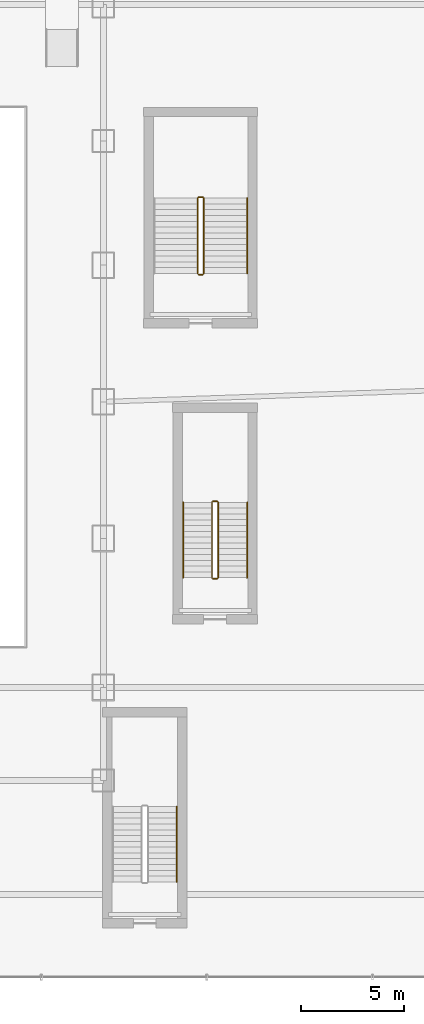
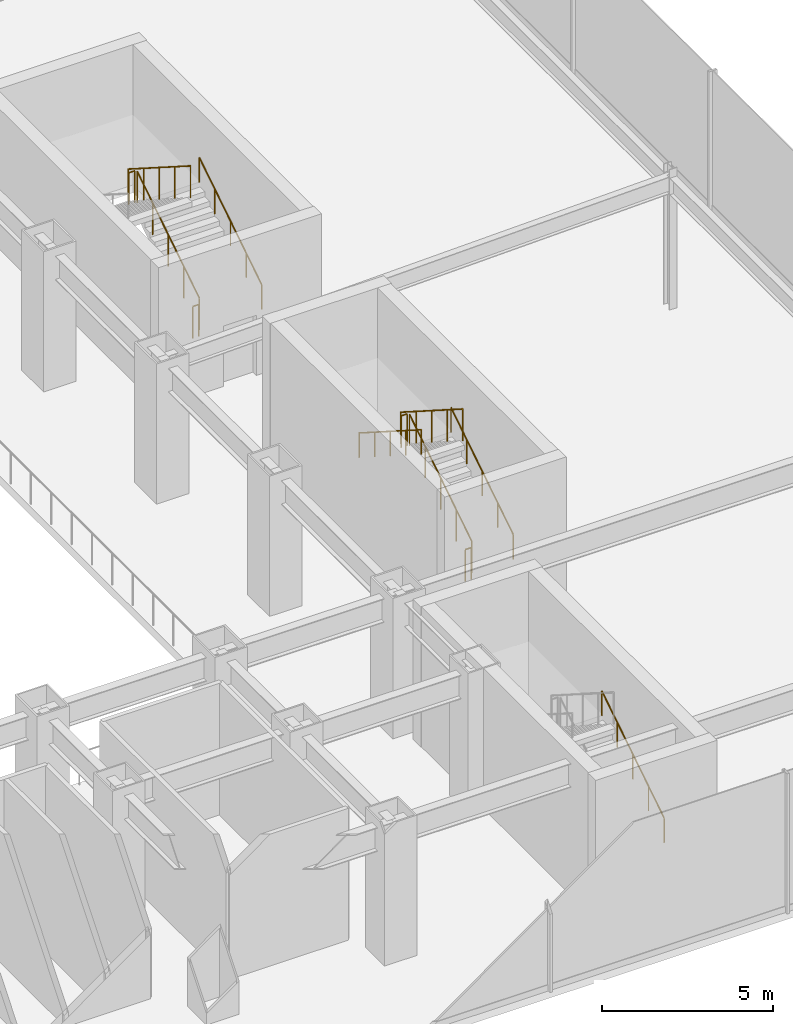
# One storey, part 38 of 39: 12 railings.
"""IFC4 building model written with IfcOpenShell, lengths in metres."""

from ifc_helpers import new_model, si_unit, derived_unit, direction, frame, origin, origin_2d, place, context, subcontext, project, spatial, circle, extrude, material, type_object, element, save


model = new_model("IFC4")

# Units and contexts
model_context = context("Model", 3, precision=1e-05, world=origin(), true_north=direction((0.0, 1.0)))
body_context = subcontext(model_context, "Body", "Model", "MODEL_VIEW")
ifc_project = project(units=[si_unit("LENGTHUNIT", "METRE"), si_unit("AREAUNIT", "SQUARE_METRE"), si_unit("VOLUMEUNIT", "CUBIC_METRE"), si_unit("PLANEANGLEUNIT", "RADIAN"), si_unit("MASSUNIT", "GRAM", prefix="KILO"), derived_unit("THERMALTRANSMITTANCEUNIT", [(si_unit("POWERUNIT", "WATT"), 1), (si_unit("LENGTHUNIT", "METRE"), -2), (si_unit("THERMODYNAMICTEMPERATUREUNIT", "KELVIN"), -1)])], contexts=[model_context])

# Site, building, storey
site_placement = place(None, origin())
site = spatial("IfcSite", under=ifc_project, at=site_placement, CompositionType="ELEMENT")
building_placement = place(site_placement, origin())
building = spatial("IfcBuilding", under=site, at=building_placement, Name="Skarnbrae Concourse Arena and Tower", CompositionType="ELEMENT")
storey_placement = place(building_placement, frame((0.0, 0.0, 16.0)))
storey = spatial("IfcBuildingStorey", under=building, at=storey_placement, Name="L03", CompositionType="ELEMENT", Elevation=16.0)

# Railings
ifc_material = material(Name="Steel CSA G40.21 350W", Category="steel")
railing_type_1 = type_object("IfcRailingType", Name="RAIL-HANDRAIL-900", PredefinedType="HANDRAIL", material=ifc_material)
for number, where, name in (
    (1, (64.550048828125, 4.60009765625, 0.178466796875), "L03 ST-A1 stair handrail 1"),
    (2, (67.949951171875, 19.300048828125, 0.178466796875), "L03 ST-A2 stair handrail 1"),
):
    element("IfcRailing", number, at=place(storey_placement, frame(where)), inside=storey, type_object=railing_type_1, Name=name, PredefinedType="HANDRAIL", context=body_context, shape_type="SweptSolid", body=[
        extrude(circle(Radius=0.02392578125, at=origin_2d()), frame((0.0, 0.0, 0.8759765625), z_axis=(0.0, 0.843111507901, 0.53773877045), x_axis=(-1.0, 0.0, 0.0)), (0.0, 0.0, 1.0), 4.317138671875),
        extrude(circle(Radius=0.02099609375, at=origin_2d()), origin(), (0.0, 0.0, 1.0), 0.851806640625),
        extrude(circle(Radius=0.02099609375, at=origin_2d()), frame((0.0, 0.909912109375, 0.580322265625)), (0.0, 0.0, 1.0), 0.851806640625),
        extrude(circle(Radius=0.02099609375, at=origin_2d()), frame((0.0, 1.81982421875, 1.16064453125)), (0.0, 0.0, 1.0), 0.851806640625),
        extrude(circle(Radius=0.02099609375, at=origin_2d()), frame((0.0, 2.72998046875, 1.7412109375)), (0.0, 0.0, 1.0), 0.851806640625),
        extrude(circle(Radius=0.02099609375, at=origin_2d()), frame((0.0, 3.639892578125, 2.321533203125)), (0.0, 0.0, 1.0), 0.851806640625),
    ])
railing_1_placement = place(storey_placement, frame((64.85009765625, 22.93994140625, 2.678466796875)))
element("IfcRailing", 3, at=railing_1_placement, inside=storey, type_object=railing_type_1, Name="L03 ST-A2 stair handrail 2", PredefinedType="HANDRAIL", context=body_context, shape_type="SweptSolid", body=[
    extrude(circle(Radius=0.02392578125, at=origin_2d()), frame((0.0, 0.0, 0.8759765625), z_axis=(0.0, -0.843111507901, 0.53773877045), x_axis=(1.0, 0.0, 0.0)), (0.0, 0.0, 1.0), 4.317138671875),
    extrude(circle(Radius=0.02099609375, at=origin_2d()), origin(), (0.0, 0.0, 1.0), 0.851806640625),
    extrude(circle(Radius=0.02099609375, at=origin_2d()), frame((0.0, -0.909912109375, 0.580322265625)), (0.0, 0.0, 1.0), 0.851806640625),
    extrude(circle(Radius=0.02099609375, at=origin_2d()), frame((0.0, -1.81982421875, 1.16064453125)), (0.0, 0.0, 1.0), 0.851806640625),
    extrude(circle(Radius=0.02099609375, at=origin_2d()), frame((0.0, -2.72998046875, 1.7412109375)), (0.0, 0.0, 1.0), 0.851806640625),
    extrude(circle(Radius=0.02099609375, at=origin_2d()), frame((0.0, -3.639892578125, 2.321533203125)), (0.0, 0.0, 1.0), 0.851806640625),
])
railing_2_placement = place(storey_placement, frame((67.949951171875, 34.0, 0.178466796875)))
element("IfcRailing", 4, at=railing_2_placement, inside=storey, type_object=railing_type_1, Name="L03 ST-A4 stair handrail 1", PredefinedType="HANDRAIL", context=body_context, shape_type="SweptSolid", body=[
    extrude(circle(Radius=0.02392578125, at=origin_2d()), frame((0.0, 0.0, 0.8759765625), z_axis=(0.0, 0.843111507901, 0.53773877045), x_axis=(-1.0, 0.0, 0.0)), (0.0, 0.0, 1.0), 4.317138671875),
    extrude(circle(Radius=0.02099609375, at=origin_2d()), origin(), (0.0, 0.0, 1.0), 0.851806640625),
    extrude(circle(Radius=0.02099609375, at=origin_2d()), frame((0.0, 0.909912109375, 0.580322265625)), (0.0, 0.0, 1.0), 0.851806640625),
    extrude(circle(Radius=0.02099609375, at=origin_2d()), frame((0.0, 1.81982421875, 1.16064453125)), (0.0, 0.0, 1.0), 0.851806640625),
    extrude(circle(Radius=0.02099609375, at=origin_2d()), frame((0.0, 2.72998046875, 1.7412109375)), (0.0, 0.0, 1.0), 0.851806640625),
    extrude(circle(Radius=0.02099609375, at=origin_2d()), frame((0.0, 3.639892578125, 2.321533203125)), (0.0, 0.0, 1.0), 0.851806640625),
])
railing_type_2 = type_object("IfcRailingType", Name="RAIL-STAIR-GUARD-1150", PredefinedType="GUARDRAIL", material=ifc_material)
railing_3_placement = place(storey_placement, frame((66.550048828125, 19.300048828125, 0.178466796875)))
element("IfcRailing", 5, at=railing_3_placement, inside=storey, type_object=railing_type_2, Name="L03 ST-A2 stair guard 1", PredefinedType="GUARDRAIL", context=body_context, shape_type="SweptSolid", body=[
    extrude(circle(Radius=0.02392578125, at=origin_2d()), frame((0.0, 0.0, 1.1259765625), z_axis=(0.0, 0.843111507901, 0.53773877045), x_axis=(-1.0, 0.0, 0.0)), (0.0, 0.0, 1.0), 4.317138671875),
    extrude(circle(Radius=0.02099609375, at=origin_2d()), origin(), (0.0, 0.0, 1.0), 1.101806640625),
    extrude(circle(Radius=0.02099609375, at=origin_2d()), frame((0.0, 0.909912109375, 0.580322265625)), (0.0, 0.0, 1.0), 1.101806640625),
    extrude(circle(Radius=0.02099609375, at=origin_2d()), frame((0.0, 1.81982421875, 1.16064453125)), (0.0, 0.0, 1.0), 1.101806640625),
    extrude(circle(Radius=0.02099609375, at=origin_2d()), frame((0.0, 2.72998046875, 1.7412109375)), (0.0, 0.0, 1.0), 1.101806640625),
    extrude(circle(Radius=0.02099609375, at=origin_2d()), frame((0.0, 3.639892578125, 2.321533203125)), (0.0, 0.0, 1.0), 1.101806640625),
])
railing_4_placement = place(storey_placement, frame((66.5, 22.989990234375, 2.5)))
element("IfcRailing", 6, at=railing_4_placement, inside=storey, type_object=railing_type_2, Name="L03 ST-A2 stair guard 2", PredefinedType="GUARDRAIL", context=body_context, shape_type="SweptSolid", body=[
    extrude(circle(Radius=0.02392578125, at=origin_2d()), frame((0.0, 0.0, 1.1259765625), z_axis=(-1.0, 0.0, 0.0), x_axis=(0.0, -1.0, 0.0)), (0.0, 0.0, 1.0), 0.199951171875),
    extrude(circle(Radius=0.02099609375, at=origin_2d()), origin(), (0.0, 0.0, 1.0), 1.101806640625),
    extrude(circle(Radius=0.02099609375, at=origin_2d()), frame((-0.199951171875, 0.0, 0.0)), (0.0, 0.0, 1.0), 1.101806640625),
])
railing_5_placement = place(storey_placement, frame((66.25, 22.93994140625, 2.678466796875)))
element("IfcRailing", 7, at=railing_5_placement, inside=storey, type_object=railing_type_2, Name="L03 ST-A2 stair guard 3", PredefinedType="GUARDRAIL", context=body_context, shape_type="SweptSolid", body=[
    extrude(circle(Radius=0.02392578125, at=origin_2d()), frame((0.0, 0.0, 1.1259765625), z_axis=(0.0, -0.843111507901, 0.53773877045), x_axis=(1.0, 0.0, 0.0)), (0.0, 0.0, 1.0), 4.317138671875),
    extrude(circle(Radius=0.02099609375, at=origin_2d()), origin(), (0.0, 0.0, 1.0), 1.101806640625),
    extrude(circle(Radius=0.02099609375, at=origin_2d()), frame((0.0, -0.909912109375, 0.580322265625)), (0.0, 0.0, 1.0), 1.101806640625),
    extrude(circle(Radius=0.02099609375, at=origin_2d()), frame((0.0, -1.81982421875, 1.16064453125)), (0.0, 0.0, 1.0), 1.101806640625),
    extrude(circle(Radius=0.02099609375, at=origin_2d()), frame((0.0, -2.72998046875, 1.7412109375)), (0.0, 0.0, 1.0), 1.101806640625),
    extrude(circle(Radius=0.02099609375, at=origin_2d()), frame((0.0, -3.639892578125, 2.321533203125)), (0.0, 0.0, 1.0), 1.101806640625),
])
railing_6_placement = place(storey_placement, frame((66.5, 19.25, 0.0)))
element("IfcRailing", 8, at=railing_6_placement, inside=storey, type_object=railing_type_2, Name="L03 ST-A2 stair guard 4", PredefinedType="GUARDRAIL", context=body_context, shape_type="SweptSolid", body=[
    extrude(circle(Radius=0.02392578125, at=origin_2d()), frame((0.0, 0.0, 1.1259765625), z_axis=(-1.0, 0.0, 0.0), x_axis=(0.0, -1.0, 0.0)), (0.0, 0.0, 1.0), 0.199951171875),
    extrude(circle(Radius=0.02099609375, at=origin_2d()), origin(), (0.0, 0.0, 1.0), 1.101806640625),
    extrude(circle(Radius=0.02099609375, at=origin_2d()), frame((-0.199951171875, 0.0, 0.0)), (0.0, 0.0, 1.0), 1.101806640625),
])
railing_7_placement = place(storey_placement, frame((65.85009765625, 34.0, 0.178466796875)))
element("IfcRailing", 9, at=railing_7_placement, inside=storey, type_object=railing_type_2, Name="L03 ST-A4 stair guard 1", PredefinedType="GUARDRAIL", context=body_context, shape_type="SweptSolid", body=[
    extrude(circle(Radius=0.02392578125, at=origin_2d()), frame((0.0, 0.0, 1.1259765625), z_axis=(0.0, 0.843111507901, 0.53773877045), x_axis=(-1.0, 0.0, 0.0)), (0.0, 0.0, 1.0), 4.317138671875),
    extrude(circle(Radius=0.02099609375, at=origin_2d()), origin(), (0.0, 0.0, 1.0), 1.101806640625),
    extrude(circle(Radius=0.02099609375, at=origin_2d()), frame((0.0, 0.909912109375, 0.580322265625)), (0.0, 0.0, 1.0), 1.101806640625),
    extrude(circle(Radius=0.02099609375, at=origin_2d()), frame((0.0, 1.81982421875, 1.16064453125)), (0.0, 0.0, 1.0), 1.101806640625),
    extrude(circle(Radius=0.02099609375, at=origin_2d()), frame((0.0, 2.72998046875, 1.7412109375)), (0.0, 0.0, 1.0), 1.101806640625),
    extrude(circle(Radius=0.02099609375, at=origin_2d()), frame((0.0, 3.639892578125, 2.321533203125)), (0.0, 0.0, 1.0), 1.101806640625),
])
railing_8_placement = place(storey_placement, frame((65.800048828125, 37.68994140625, 2.5)))
element("IfcRailing", 10, at=railing_8_placement, inside=storey, type_object=railing_type_2, Name="L03 ST-A4 stair guard 2", PredefinedType="GUARDRAIL", context=body_context, shape_type="SweptSolid", body=[
    extrude(circle(Radius=0.02392578125, at=origin_2d()), frame((0.0, 0.0, 1.1259765625), z_axis=(-1.0, 0.0, 0.0), x_axis=(0.0, -1.0, 0.0)), (0.0, 0.0, 1.0), 0.199951171875),
    extrude(circle(Radius=0.02099609375, at=origin_2d()), origin(), (0.0, 0.0, 1.0), 1.101806640625),
    extrude(circle(Radius=0.02099609375, at=origin_2d()), frame((-0.199951171875, 0.0, 0.0)), (0.0, 0.0, 1.0), 1.101806640625),
])
railing_9_placement = place(storey_placement, frame((65.550048828125, 37.639892578125, 2.678466796875)))
element("IfcRailing", 11, at=railing_9_placement, inside=storey, type_object=railing_type_2, Name="L03 ST-A4 stair guard 3", PredefinedType="GUARDRAIL", context=body_context, shape_type="SweptSolid", body=[
    extrude(circle(Radius=0.02392578125, at=origin_2d()), frame((0.0, 0.0, 1.1259765625), z_axis=(0.0, -0.843111507901, 0.53773877045), x_axis=(1.0, 0.0, 0.0)), (0.0, 0.0, 1.0), 4.317138671875),
    extrude(circle(Radius=0.02099609375, at=origin_2d()), origin(), (0.0, 0.0, 1.0), 1.101806640625),
    extrude(circle(Radius=0.02099609375, at=origin_2d()), frame((0.0, -0.909912109375, 0.580322265625)), (0.0, 0.0, 1.0), 1.101806640625),
    extrude(circle(Radius=0.02099609375, at=origin_2d()), frame((0.0, -1.81982421875, 1.16064453125)), (0.0, 0.0, 1.0), 1.101806640625),
    extrude(circle(Radius=0.02099609375, at=origin_2d()), frame((0.0, -2.72998046875, 1.7412109375)), (0.0, 0.0, 1.0), 1.101806640625),
    extrude(circle(Radius=0.02099609375, at=origin_2d()), frame((0.0, -3.639892578125, 2.321533203125)), (0.0, 0.0, 1.0), 1.101806640625),
])
railing_10_placement = place(storey_placement, frame((65.800048828125, 33.949951171875, 0.0)))
element("IfcRailing", 12, at=railing_10_placement, inside=storey, type_object=railing_type_2, Name="L03 ST-A4 stair guard 4", PredefinedType="GUARDRAIL", context=body_context, shape_type="SweptSolid", body=[
    extrude(circle(Radius=0.02392578125, at=origin_2d()), frame((0.0, 0.0, 1.1259765625), z_axis=(-1.0, 0.0, 0.0), x_axis=(0.0, -1.0, 0.0)), (0.0, 0.0, 1.0), 0.199951171875),
    extrude(circle(Radius=0.02099609375, at=origin_2d()), origin(), (0.0, 0.0, 1.0), 1.101806640625),
    extrude(circle(Radius=0.02099609375, at=origin_2d()), frame((-0.199951171875, 0.0, 0.0)), (0.0, 0.0, 1.0), 1.101806640625),
])

save(model, "model.ifc")
